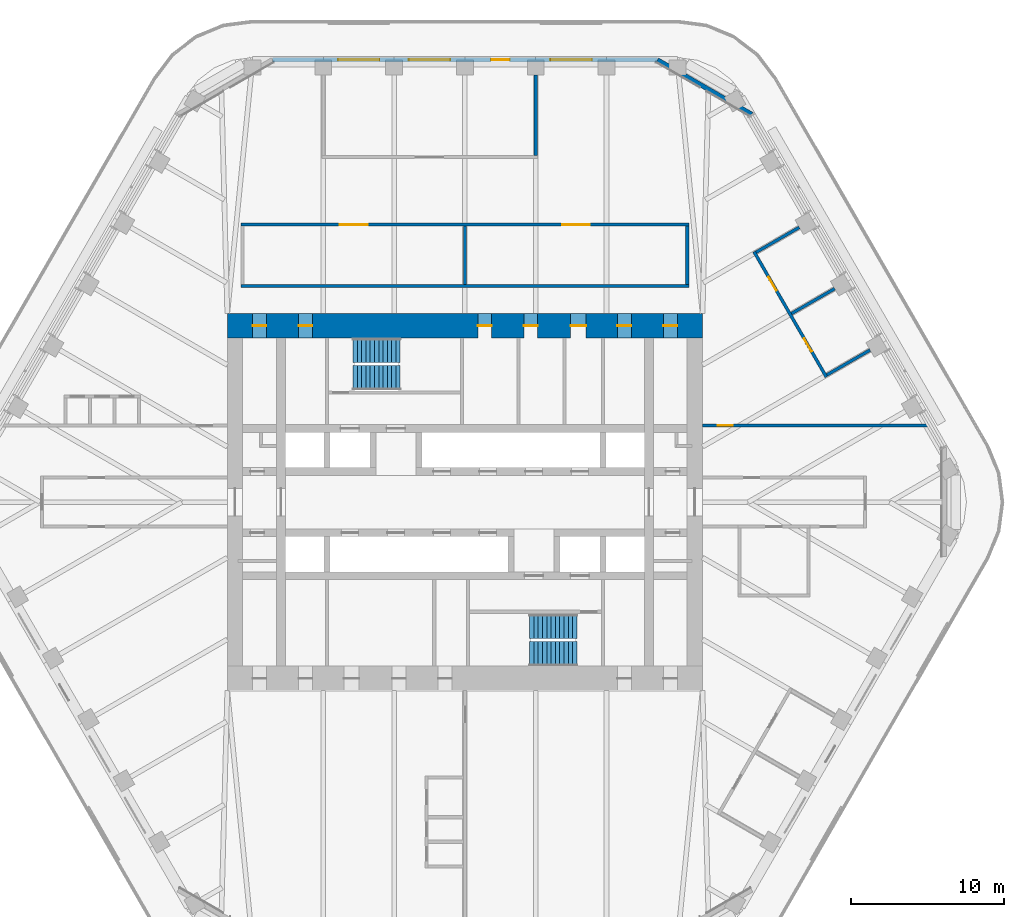
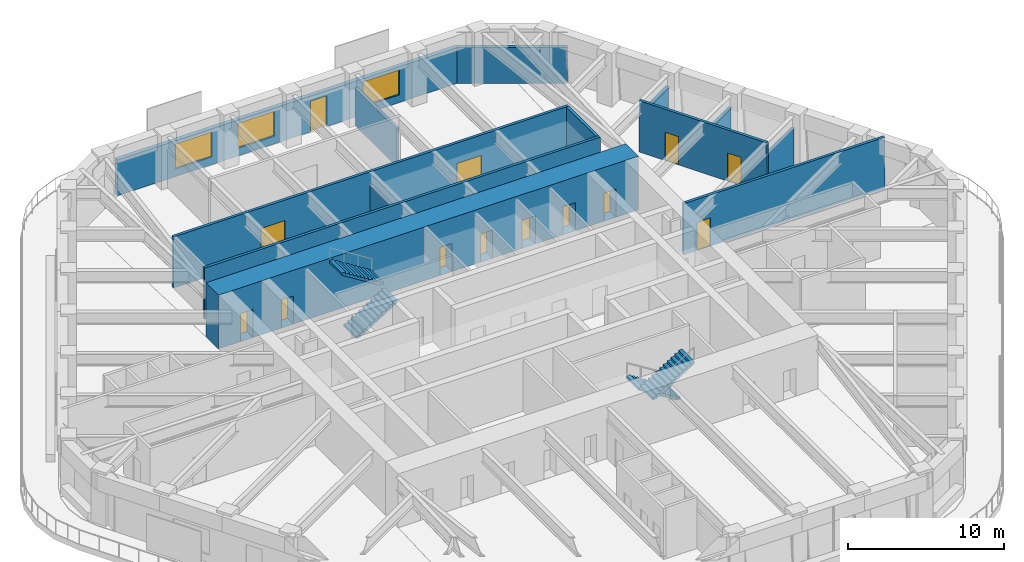
# One storey, part 17 of 20: 13 doors, 13 walls, 4 stair flights, 3 windows, 16 openings, 2 elements without a shape of their own.
"""IFC4 building model written with IfcOpenShell, lengths in metres."""

import ifcopenshell
import ifcopenshell.guid

model = None  # the IFC model being written
_history = None  # IfcOwnerHistory: only IFC2X3 demands one
_inside = {}  # id of a spatial element -> (the spatial element, [elements in it])
_under = {}  # id of a project, library or spatial element -> (it, [spatial elements below it])
_declared = {}  # id of a project -> (the project, [libraries it declares])
_typed = {}  # id of a type object -> (the type object, [elements of that type])
_made_of = {}  # id of a material, layer set ... -> (it, [elements and type objects made of it])


def new_model(schema):
    """Start an empty IFC model of exactly this schema.

    Asked for "IFC4X3", IfcOpenShell would pick the latest addendum, in which some entities
    have other attributes; the version numbers below select the first issue.
    IFC2X3 requires an IfcOwnerHistory on every rooted entity: one is made here for all.
    """
    global model, _history
    if schema == "IFC4X3":
        model = ifcopenshell.file(schema_version=(4, 3, 0, 0))
    else:
        model = ifcopenshell.file(schema=schema)
    _inside.clear()
    _under.clear()
    _declared.clear()
    _typed.clear()
    _made_of.clear()
    _history = None
    if model.schema == "IFC2X3":
        org = make("IfcOrganization", Name="unknown")
        user = make(
            "IfcPersonAndOrganization",
            ThePerson=make("IfcPerson", FamilyName="unknown"),
            TheOrganization=org,
        )
        app = make(
            "IfcApplication",
            ApplicationDeveloper=org,
            Version="unknown",
            ApplicationFullName="unknown",
            ApplicationIdentifier="unknown",
        )
        _history = make(
            "IfcOwnerHistory",
            OwningUser=user,
            OwningApplication=app,
            ChangeAction="ADDED",
            CreationDate=0,
        )
    return model


def make(cls, **values):
    """One entity of the class cls with the attributes given. An attribute that is None is left unset."""
    return model.create_entity(
        cls, **{name: value for name, value in values.items() if value is not None}
    )


def rooted(cls, **values):
    """An entity with a GlobalId (a new one), such as an element, a storey or a relation."""
    return make(cls, GlobalId=ifcopenshell.guid.new(), OwnerHistory=_history, **values)


def si_unit(unit_type, name, prefix=None):
    """IfcSIUnit, for example si_unit("LENGTHUNIT", "METRE", prefix="MILLI")."""
    return make("IfcSIUnit", UnitType=unit_type, Prefix=prefix, Name=name)


def assignment(units):
    """IfcUnitAssignment: the units of a project."""
    return None if units is None else make("IfcUnitAssignment", Units=units)


def point(xyz):
    """IfcCartesianPoint."""
    return None if xyz is None else make("IfcCartesianPoint", Coordinates=xyz)


def direction(xyz):
    """IfcDirection."""
    return None if xyz is None else make("IfcDirection", DirectionRatios=xyz)


def frame(location, z_axis=None, x_axis=None):
    """IfcAxis2Placement3D, a coordinate frame: its origin and axes. An axis left out is left unset."""
    return make(
        "IfcAxis2Placement3D",
        Location=point(location),
        Axis=direction(z_axis),
        RefDirection=direction(x_axis),
    )


def frame_2d(location, x_axis=None):
    """IfcAxis2Placement2D, a coordinate frame in the plane: its origin and x axis."""
    return make(
        "IfcAxis2Placement2D", Location=point(location), RefDirection=direction(x_axis)
    )


def origin():
    """The frame at (0, 0, 0) with its axes left unset."""
    return frame((0.0, 0.0, 0.0))


def place(relative_to, where):
    """IfcLocalPlacement: puts the frame where relative to a parent placement (None: the world)."""
    return make(
        "IfcLocalPlacement", PlacementRelTo=relative_to, RelativePlacement=where
    )


def context(
    kind, dimensions, precision=None, world=None, true_north=None, identifier=None
):
    """IfcGeometricRepresentationContext, for example the 3D "Model" context."""
    return make(
        "IfcGeometricRepresentationContext",
        ContextIdentifier=identifier,
        ContextType=kind,
        CoordinateSpaceDimension=dimensions,
        Precision=precision,
        WorldCoordinateSystem=world,
        TrueNorth=true_north,
    )


def subcontext(parent, identifier, kind, view, scale=None):
    """IfcGeometricRepresentationSubContext, for example "Body" below "Model"."""
    return make(
        "IfcGeometricRepresentationSubContext",
        ContextIdentifier=identifier,
        ContextType=kind,
        ParentContext=parent,
        TargetScale=scale,
        TargetView=view,
    )


def project(units=None, contexts=None):
    """IfcProject with its units and contexts."""
    return rooted(
        "IfcProject",
        Name="project",
        RepresentationContexts=contexts,
        UnitsInContext=assignment(units),
    )


def spatial(cls, under=None, at=None, **own):
    """A site, building, storey or space (cls), placed at a placement, below another one or the project."""
    s = rooted(cls, ObjectPlacement=at, **own)
    if under is not None:
        _under.setdefault(under.id(), (under, []))[1].append(s)
    return s


def polyline(points):
    """IfcPolyline through the points."""
    return make("IfcPolyline", Points=[point(p) for p in points])


def profile(cls, at=None, kind="AREA", **sizes):
    """A parametric profile (cls). Its sizes go by their IFC names, for example OverallWidth=200.0."""
    return make(cls, ProfileType=kind, Position=at, **sizes)


def rectangle(**sizes):
    """IfcRectangleProfileDef."""
    return profile("IfcRectangleProfileDef", **sizes)


def outline(outer, holes=None, kind="AREA"):
    """IfcArbitraryClosedProfileDef: a profile drawn as a closed curve; with holes, ...WithVoids."""
    if holes is None:
        return make("IfcArbitraryClosedProfileDef", ProfileType=kind, OuterCurve=outer)
    return make(
        "IfcArbitraryProfileDefWithVoids",
        ProfileType=kind,
        OuterCurve=outer,
        InnerCurves=holes,
    )


def extrude(swept, where, along, depth):
    """IfcExtrudedAreaSolid: the profile swept, set in the frame where, extruded along a direction by depth."""
    return make(
        "IfcExtrudedAreaSolid",
        SweptArea=swept,
        Position=where,
        ExtrudedDirection=direction(along),
        Depth=depth,
    )


def shape(context_of_items, identifier, shape_type, items):
    """IfcShapeRepresentation: the items that make up one representation, for example the "Body"."""
    return make(
        "IfcShapeRepresentation",
        ContextOfItems=context_of_items,
        RepresentationIdentifier=identifier,
        RepresentationType=shape_type,
        Items=items,
    )


def material(Name=None, Category=None):
    """IfcMaterial."""
    return make("IfcMaterial", Name=Name, Category=Category)


def layer(
    of_material, thickness, ventilated=None, Name=None, Category=None, Priority=None
):
    """IfcMaterialLayer: one layer of a wall or slab, of a material (None: an air gap)."""
    return make(
        "IfcMaterialLayer",
        Material=of_material,
        LayerThickness=thickness,
        IsVentilated=ventilated,
        Name=Name,
        Category=Category,
        Priority=Priority,
    )


def layer_set(layers, Name=None):
    """IfcMaterialLayerSet."""
    return make("IfcMaterialLayerSet", MaterialLayers=layers, LayerSetName=Name)


def made_of(thing, what):
    """Note that an element or type object is made of a material, layer set ...; save() writes the relation."""
    if what is not None:
        _made_of.setdefault(what.id(), (what, []))[1].append(thing)
    return thing


def type_object(cls, material=None, **own):
    """A type object (cls), such as IfcWallType, which elements share."""
    return made_of(rooted(cls, **own), material)


def element(
    cls,
    number,
    at=None,
    inside=None,
    cuts=None,
    type_object=None,
    material=None,
    context=None,
    identifier="Body",
    shape_type=None,
    held_by="IfcProductDefinitionShape",
    body=None,
    shapes=None,
    **own,
):
    """One element of the class cls, such as IfcWall. Its Tag is "e" and its number.

    at: its placement. inside: the storey or other place that contains it. cuts: it is an
    opening in that element (IfcRelVoidsElement). A single representation is given by context,
    identifier, shape_type and body (its items); several are given by shapes. held_by: the class
    of the entity that holds the representations. save() writes the other relations.
    """
    e = rooted(cls, Tag="e%d" % number, ObjectPlacement=at, **own)
    if body is not None:
        shapes = [shape(context, identifier, shape_type, body)]
    if shapes is not None:
        e.Representation = make(held_by, Representations=shapes)
    if inside is not None:
        _inside.setdefault(inside.id(), (inside, []))[1].append(e)
    if cuts is not None:
        rooted(
            "IfcRelVoidsElement", RelatingBuildingElement=cuts, RelatedOpeningElement=e
        )
    if type_object is not None:
        _typed.setdefault(type_object.id(), (type_object, []))[1].append(e)
    return made_of(e, material)


def fill(opening, filler):
    """IfcRelFillsElement: the door or window that sits in an opening."""
    return rooted(
        "IfcRelFillsElement",
        RelatingOpeningElement=opening,
        RelatedBuildingElement=filler,
    )


def aggregate(whole, parts):
    """IfcRelAggregates: a whole, such as a stair, and the parts it consists of."""
    return rooted("IfcRelAggregates", RelatingObject=whole, RelatedObjects=parts)


def save(model, path):
    """Write the relations noted so far, then the file.

    IfcRelAggregates (storeys below a building ...), IfcRelContainedInSpatialStructure (elements
    in a storey), IfcRelDefinesByType, IfcRelAssociatesMaterial and IfcRelDeclares: one each for
    every whole, place, type object, material and project.
    """
    for whole, parts in _under.values():
        aggregate(whole, parts)
    for where, things in _inside.values():
        rooted(
            "IfcRelContainedInSpatialStructure",
            RelatedElements=things,
            RelatingStructure=where,
        )
    for kind, things in _typed.values():
        rooted("IfcRelDefinesByType", RelatedObjects=things, RelatingType=kind)
    for what, things in _made_of.values():
        rooted("IfcRelAssociatesMaterial", RelatedObjects=things, RelatingMaterial=what)
    for by, libraries in _declared.values():
        rooted("IfcRelDeclares", RelatingContext=by, RelatedDefinitions=libraries)
    model.write(path)


model = new_model("IFC4")

# Units and contexts
model_context = context("Model", 3, precision=1e-05, world=origin(), true_north=direction((0.0, 1.0)))
body_context = subcontext(model_context, "Body", "Model", "MODEL_VIEW")
ifc_project = project(units=[si_unit("LENGTHUNIT", "METRE"), si_unit("AREAUNIT", "SQUARE_METRE"), si_unit("VOLUMEUNIT", "CUBIC_METRE"), si_unit("PLANEANGLEUNIT", "RADIAN"), si_unit("MASSUNIT", "GRAM", prefix="KILO")], contexts=[model_context])

# Site, building, storey
site_placement = place(None, origin())
site = spatial("IfcSite", under=ifc_project, at=site_placement, CompositionType="ELEMENT")
building_placement = place(site_placement, origin())
building = spatial("IfcBuilding", under=site, at=building_placement, Name="Tarfa Lantern Tower", CompositionType="ELEMENT")
storey_placement = place(building_placement, frame((0.0, 0.0, 278.5)))
storey = spatial("IfcBuildingStorey", under=building, at=storey_placement, Name="L63", CompositionType="ELEMENT", Elevation=278.5)

# Wall
ifc_material_1 = material(Name="Limestone cladding on blockwork", Category="masonry")
ifc_layer_1 = layer(ifc_material_1, 0.300048828125)
ifc_layer_set_1 = layer_set([ifc_layer_1], Name="EW1 STONE-CLAD WALL 300")
wall_type_1 = type_object("IfcWallType", Name="EW1 STONE-CLAD WALL 300", PredefinedType="SOLIDWALL", material=ifc_layer_set_1)
wall_1_placement = place(storey_placement, frame((18.70654296875, 25.299072265625, 0.0), z_axis=(0.0, 0.0, 1.0), x_axis=(-0.866010973379, 0.500024993363, 0.0)))
element("IfcWall", 1, at=wall_1_placement, inside=storey, type_object=wall_type_1, Name="Garden wall NE-N", PredefinedType="SOLIDWALL", context=body_context, shape_type="SweptSolid", body=[
    extrude(rectangle(XDim=7.101806640625, YDim=0.300048828125, at=frame_2d((3.55078125, 0.0))), origin(), (0.0, 0.0, 1.0), 2.800048828125),
])

# Wall, openings, door, windows
wall_2_placement = place(storey_placement, frame((12.556396484375, 28.85009765625, 0.0), z_axis=(0.0, 0.0, 1.0), x_axis=(-1.0, 0.0, 0.0)))
wall_2 = element("IfcWall", 2, at=wall_2_placement, inside=storey, type_object=wall_type_1, Name="Stone wall N", PredefinedType="SOLIDWALL", context=body_context, shape_type="SweptSolid", body=[
    extrude(rectangle(XDim=25.11279296875, YDim=0.300048828125, at=frame_2d((12.556396484375, 0.0))), origin(), (0.0, 0.0, 1.0), 2.800048828125),
])
opening_1_placement = place(wall_2_placement, frame((4.2783203125, 0.0, 0.60009765625)))
opening_1 = element("IfcOpeningElement", 3, at=opening_1_placement, cuts=wall_2, Name="Opening W14", PredefinedType="OPENING", context=body_context, shape_type="SweptSolid", body=[
    extrude(rectangle(XDim=2.699951171875, YDim=1.949951171875, at=frame_2d((1.35009765625, 0.97509765625))), frame((0.0, 0.159912109375, 0.0), z_axis=(0.0, -1.0, 0.0), x_axis=(1.0, 0.0, 0.0)), (0.0, 0.0, 1.0), 0.320068359375),
])
opening_2_placement = place(wall_2_placement, frame((9.64697265625, 0.0, 0.0)))
opening_2 = element("IfcOpeningElement", 4, at=opening_2_placement, cuts=wall_2, Name="Opening D50", PredefinedType="OPENING", context=body_context, shape_type="SweptSolid", body=[
    extrude(rectangle(XDim=1.199951171875, YDim=2.39990234375, at=frame_2d((0.60009765625, 1.199951171875))), frame((0.0, 0.159912109375, 0.0), z_axis=(0.0, -1.0, 0.0), x_axis=(1.0, 0.0, 0.0)), (0.0, 0.0, 1.0), 0.320068359375),
])
opening_3_placement = place(wall_2_placement, frame((13.515869140625, 0.0, 0.60009765625)))
opening_3 = element("IfcOpeningElement", 5, at=opening_3_placement, cuts=wall_2, Name="Opening W14", PredefinedType="OPENING", context=body_context, shape_type="SweptSolid", body=[
    extrude(rectangle(XDim=2.699951171875, YDim=1.949951171875, at=frame_2d((1.35009765625, 0.97509765625))), frame((0.0, 0.159912109375, 0.0), z_axis=(0.0, -1.0, 0.0), x_axis=(1.0, 0.0, 0.0)), (0.0, 0.0, 1.0), 0.320068359375),
])
opening_4_placement = place(wall_2_placement, frame((18.134521484375, 0.0, 0.60009765625)))
opening_4 = element("IfcOpeningElement", 6, at=opening_4_placement, cuts=wall_2, Name="Opening W14", PredefinedType="OPENING", context=body_context, shape_type="SweptSolid", body=[
    extrude(rectangle(XDim=2.699951171875, YDim=1.949951171875, at=frame_2d((1.35009765625, 0.97509765625))), frame((0.0, 0.159912109375, 0.0), z_axis=(0.0, -1.0, 0.0), x_axis=(1.0, 0.0, 0.0)), (0.0, 0.0, 1.0), 0.320068359375),
])
ifc_material_2 = material(Name="Aluminium framed glazed door", Category="aluminium")
door_type_1 = type_object("IfcDoorType", Name="BE3 BALCONY DOOR 1200x2400", OperationType="SINGLE_SWING_RIGHT", PredefinedType="DOOR", material=ifc_material_2)
door_1_placement = place(opening_2_placement, origin())
door_1 = element("IfcDoor", 7, at=door_1_placement, inside=storey, type_object=door_type_1, Name="Balcony door N", OperationType="SINGLE_SWING_RIGHT", OverallHeight=2.39990234375, OverallWidth=1.199951171875, PredefinedType="DOOR", context=body_context, shape_type="SweptSolid", body=[
    extrude(rectangle(XDim=1.199951171875, YDim=2.39990234375, at=frame_2d((0.60009765625, 1.199951171875))), frame((0.0, 0.02490234375, 0.0), z_axis=(0.0, -1.0, 0.0), x_axis=(1.0, 0.0, 0.0)), (0.0, 0.0, 1.0), 0.050048828125),
])
fill(opening_2, door_1)
ifc_material_3 = material(Name="Aluminium frame, double glazed", Category="aluminium")
window_type = type_object("IfcWindowType", Name="W14 FULL-HEIGHT GLAZING 2700x1950", PartitioningType="SINGLE_PANEL", PredefinedType="WINDOW", material=ifc_material_3)
window_1_placement = place(opening_1_placement, origin())
window_1 = element("IfcWindow", 8, at=window_1_placement, inside=storey, type_object=window_type, Name="Window N 2", OverallHeight=1.949951171875, OverallWidth=2.699951171875, PartitioningType="SINGLE_PANEL", PredefinedType="WINDOW", context=body_context, shape_type="SweptSolid", body=[
    extrude(rectangle(XDim=2.699951171875, YDim=1.949951171875, at=frame_2d((1.35009765625, 0.97509765625))), frame((0.0, 0.030029296875, 0.0), z_axis=(0.0, -1.0, 0.0), x_axis=(1.0, 0.0, 0.0)), (0.0, 0.0, 1.0), 0.06005859375),
])
fill(opening_1, window_1)
window_2_placement = place(opening_3_placement, origin())
window_2 = element("IfcWindow", 9, at=window_2_placement, inside=storey, type_object=window_type, Name="Window N 4", OverallHeight=1.949951171875, OverallWidth=2.699951171875, PartitioningType="SINGLE_PANEL", PredefinedType="WINDOW", context=body_context, shape_type="SweptSolid", body=[
    extrude(rectangle(XDim=2.699951171875, YDim=1.949951171875, at=frame_2d((1.35009765625, 0.97509765625))), frame((0.0, 0.030029296875, 0.0), z_axis=(0.0, -1.0, 0.0), x_axis=(1.0, 0.0, 0.0)), (0.0, 0.0, 1.0), 0.06005859375),
])
fill(opening_3, window_2)
window_3_placement = place(opening_4_placement, origin())
window_3 = element("IfcWindow", 10, at=window_3_placement, inside=storey, type_object=window_type, Name="Window N 5", OverallHeight=1.949951171875, OverallWidth=2.699951171875, PartitioningType="SINGLE_PANEL", PredefinedType="WINDOW", context=body_context, shape_type="SweptSolid", body=[
    extrude(rectangle(XDim=2.699951171875, YDim=1.949951171875, at=frame_2d((1.35009765625, 0.97509765625))), frame((0.0, 0.030029296875, 0.0), z_axis=(0.0, -1.0, 0.0), x_axis=(1.0, 0.0, 0.0)), (0.0, 0.0, 1.0), 0.06005859375),
])
fill(opening_4, window_3)

# Wall
ifc_material_4 = material(Name="Gypsum board on steel studs", Category="steel")
ifc_layer_2 = layer(ifc_material_4, 0.2099609375)
ifc_layer_set_2 = layer_set([ifc_layer_2], Name="IW2 ACOUSTIC PARTITION 200")
wall_type_2 = type_object("IfcWallType", Name="IW2 ACOUSTIC PARTITION 200", PredefinedType="PARTITIONING", material=ifc_layer_set_2)
wall_3_placement = place(storey_placement, frame((-14.60009765625, 14.10009765625, 0.0), z_axis=(0.0, 0.0, 1.0), x_axis=(1.0, 0.0, 0.0)))
element("IfcWall", 11, at=wall_3_placement, inside=storey, type_object=wall_type_2, Name="Partition", PredefinedType="PARTITIONING", context=body_context, shape_type="SweptSolid", body=[
    extrude(rectangle(XDim=29.2001953125, YDim=0.199951171875, at=frame_2d((14.60009765625, 0.0))), origin(), (0.0, 0.0, 1.0), 4.0),
])

# Wall, openings, doors
wall_4_placement = place(storey_placement, frame((-14.60009765625, 18.10009765625, 0.0), z_axis=(0.0, 0.0, 1.0), x_axis=(1.0, 0.0, 0.0)))
wall_4 = element("IfcWall", 12, at=wall_4_placement, inside=storey, type_object=wall_type_2, Name="Partition", PredefinedType="PARTITIONING", context=body_context, shape_type="SweptSolid", body=[
    extrude(rectangle(XDim=29.2001953125, YDim=0.199951171875, at=frame_2d((14.60009765625, 0.0))), origin(), (0.0, 0.0, 1.0), 4.0),
])
opening_5_placement = place(wall_4_placement, frame((6.449951171875, 0.0, 0.0)))
opening_5 = element("IfcOpeningElement", 13, at=opening_5_placement, cuts=wall_4, Name="Opening D33", PredefinedType="OPENING", context=body_context, shape_type="SweptSolid", body=[
    extrude(rectangle(XDim=1.800048828125, YDim=2.39990234375, at=frame_2d((0.89990234375, 1.199951171875))), frame((0.0, 0.10986328125, 0.0), z_axis=(0.0, -1.0, 0.0), x_axis=(1.0, 0.0, 0.0)), (0.0, 0.0, 1.0), 0.219970703125),
])
opening_6_placement = place(wall_4_placement, frame((20.949951171875, 0.0, 0.0)))
opening_6 = element("IfcOpeningElement", 14, at=opening_6_placement, cuts=wall_4, Name="Opening D34", PredefinedType="OPENING", context=body_context, shape_type="SweptSolid", body=[
    extrude(rectangle(XDim=1.800048828125, YDim=2.39990234375, at=frame_2d((0.89990234375, 1.199951171875))), frame((0.0, 0.10986328125, 0.0), z_axis=(0.0, -1.0, 0.0), x_axis=(1.0, 0.0, 0.0)), (0.0, 0.0, 1.0), 0.219970703125),
])
ifc_material_5 = material(Name="Timber door", Category="wood")
door_type_2 = type_object("IfcDoorType", Name="DR2 ROOM DOOR 1800x2400", OperationType="DOUBLE_DOOR_SINGLE_SWING", PredefinedType="DOOR", material=ifc_material_5)
door_2_placement = place(opening_5_placement, frame((1.800048828125, 0.0, 0.0), z_axis=(0.0, 0.0, 1.0), x_axis=(-1.0, 0.0, 0.0)))
door_2 = element("IfcDoor", 15, at=door_2_placement, inside=storey, type_object=door_type_2, Name="Data room door", OperationType="DOUBLE_DOOR_SINGLE_SWING", OverallHeight=2.39990234375, OverallWidth=1.800048828125, PredefinedType="DOOR", context=body_context, shape_type="SweptSolid", body=[
    extrude(rectangle(XDim=1.800048828125, YDim=2.39990234375, at=frame_2d((0.89990234375, 1.199951171875))), frame((0.0, 0.02490234375, 0.0), z_axis=(0.0, -1.0, 0.0), x_axis=(1.0, 0.0, 0.0)), (0.0, 0.0, 1.0), 0.050048828125),
])
fill(opening_5, door_2)
door_3_placement = place(opening_6_placement, frame((1.800048828125, 0.0, 0.0), z_axis=(0.0, 0.0, 1.0), x_axis=(-1.0, 0.0, 0.0)))
door_3 = element("IfcDoor", 16, at=door_3_placement, inside=storey, type_object=door_type_2, Name="Meeting room door", OperationType="DOUBLE_DOOR_SINGLE_SWING", OverallHeight=2.39990234375, OverallWidth=1.800048828125, PredefinedType="DOOR", context=body_context, shape_type="SweptSolid", body=[
    extrude(rectangle(XDim=1.800048828125, YDim=2.39990234375, at=frame_2d((0.89990234375, 1.199951171875))), frame((0.0, 0.02490234375, 0.0), z_axis=(0.0, -1.0, 0.0), x_axis=(1.0, 0.0, 0.0)), (0.0, 0.0, 1.0), 0.050048828125),
])
fill(opening_6, door_3)

# Walls
wall_5_placement = place(storey_placement, frame((0.0, 14.199951171875, 0.0), z_axis=(0.0, 0.0, 1.0), x_axis=(0.0, 1.0, 0.0)))
element("IfcWall", 17, at=wall_5_placement, inside=storey, type_object=wall_type_2, Name="Partition", PredefinedType="PARTITIONING", context=body_context, shape_type="SweptSolid", body=[
    extrude(rectangle(XDim=3.800048828125, YDim=0.199951171875, at=frame_2d((1.89990234375, 0.0))), origin(), (0.0, 0.0, 1.0), 2.991943359375),
])
wall_6_placement = place(storey_placement, frame((14.5, 14.199951171875, 0.0), z_axis=(0.0, 0.0, 1.0), x_axis=(0.0, 1.0, 0.0)))
element("IfcWall", 18, at=wall_6_placement, inside=storey, type_object=wall_type_2, Name="Partition", PredefinedType="PARTITIONING", context=body_context, shape_type="SweptSolid", body=[
    extrude(rectangle(XDim=3.800048828125, YDim=0.199951171875, at=frame_2d((1.89990234375, 0.0))), origin(), (0.0, 0.0, 1.0), 4.0),
])
wall_7_placement = place(storey_placement, frame((4.618896484375, 22.60009765625, 0.0), z_axis=(0.0, 0.0, 1.0), x_axis=(0.0, 1.0, 0.0)))
element("IfcWall", 19, at=wall_7_placement, inside=storey, type_object=wall_type_2, Name="Partition", PredefinedType="PARTITIONING", context=body_context, shape_type="SweptSolid", body=[
    extrude(rectangle(XDim=5.25, YDim=0.199951171875, at=frame_2d((2.625, 0.0))), origin(), (0.0, 0.0, 1.0), 2.991943359375),
])

# Wall, openings, doors
wall_8_placement = place(storey_placement, frame((23.576904296875, 8.163330078125, 0.0), z_axis=(0.0, 0.0, 1.0), x_axis=(-0.499989672313, 0.866031366395, 0.0)))
wall_8 = element("IfcWall", 20, at=wall_8_placement, inside=storey, type_object=wall_type_2, Name="Partition", PredefinedType="PARTITIONING", context=body_context, shape_type="SweptSolid", body=[
    extrude(rectangle(XDim=9.437744140625, YDim=0.199951171875, at=frame_2d((4.71875, 0.0))), origin(), (0.0, 0.0, 1.0), 4.0),
])
opening_7_placement = place(wall_8_placement, frame((1.909423828125, 0.0, 0.0)))
opening_7 = element("IfcOpeningElement", 21, at=opening_7_placement, cuts=wall_8, Name="Opening D29", PredefinedType="OPENING", context=body_context, shape_type="SweptSolid", body=[
    extrude(rectangle(XDim=1.0, YDim=2.199951171875, at=frame_2d((0.5, 1.10009765625))), frame((0.0, 0.10986328125, 0.0), z_axis=(0.0, -1.0, 0.0), x_axis=(1.0, 0.0, 0.0)), (0.0, 0.0, 1.0), 0.219970703125),
])
opening_8_placement = place(wall_8_placement, frame((6.5283203125, 0.0, 0.0)))
opening_8 = element("IfcOpeningElement", 22, at=opening_8_placement, cuts=wall_8, Name="Opening D30", PredefinedType="OPENING", context=body_context, shape_type="SweptSolid", body=[
    extrude(rectangle(XDim=1.0, YDim=2.199951171875, at=frame_2d((0.5, 1.10009765625))), frame((0.0, 0.10986328125, 0.0), z_axis=(0.0, -1.0, 0.0), x_axis=(1.0, 0.0, 0.0)), (0.0, 0.0, 1.0), 0.219970703125),
])
door_type_3 = type_object("IfcDoorType", Name="DR1 ROOM DOOR 1000x2200", OperationType="SINGLE_SWING_LEFT", PredefinedType="DOOR", material=ifc_material_5)
door_4_placement = place(opening_7_placement, frame((1.0, 0.0, 0.0), z_axis=(0.0, 0.0, 1.0), x_axis=(-1.0, 0.0, 0.0)))
door_4 = element("IfcDoor", 23, at=door_4_placement, inside=storey, type_object=door_type_3, Name="Interview room door", OperationType="SINGLE_SWING_LEFT", OverallHeight=2.199951171875, OverallWidth=1.0, PredefinedType="DOOR", context=body_context, shape_type="SweptSolid", body=[
    extrude(rectangle(XDim=1.0, YDim=2.199951171875, at=frame_2d((0.5, 1.10009765625))), frame((0.0, 0.02490234375, 0.0), z_axis=(0.0, -1.0, 0.0), x_axis=(1.0, 0.0, 0.0)), (0.0, 0.0, 1.0), 0.050048828125),
])
fill(opening_7, door_4)
door_5_placement = place(opening_8_placement, frame((1.0, 0.0, 0.0), z_axis=(0.0, 0.0, 1.0), x_axis=(-1.0, 0.0, 0.0)))
door_5 = element("IfcDoor", 24, at=door_5_placement, inside=storey, type_object=door_type_3, Name="Interview room door", OperationType="SINGLE_SWING_RIGHT", OverallHeight=2.199951171875, OverallWidth=1.0, PredefinedType="DOOR", context=body_context, shape_type="SweptSolid", body=[
    extrude(rectangle(XDim=1.0, YDim=2.199951171875, at=frame_2d((0.5, 1.10009765625))), frame((0.0, 0.02490234375, 0.0), z_axis=(0.0, -1.0, 0.0), x_axis=(1.0, 0.0, 0.0)), (0.0, 0.0, 1.0), 0.050048828125),
])
fill(opening_8, door_5)

# Walls
for number, where, z_axis, x_axis, name in (
    (25, (23.613525390625, 8.300048828125, 0.0), (0.0, 0.0, 1.0), (0.866034226713, 0.499984717929, 0.0), "Partition"),
    (26, (21.30419921875, 12.300048828125, 0.0), (0.0, 0.0, 1.0), (0.866034226713, 0.499984717929, 0.0), "Partition"),
    (27, (18.994873046875, 16.300048828125, 0.0), (0.0, 0.0, 1.0), (0.866015446554, 0.500017246033, 0.0), "Partition"),
):
    element("IfcWall", number, at=place(storey_placement, frame(where, z_axis=z_axis, x_axis=x_axis)), inside=storey, type_object=wall_type_2, Name=name, PredefinedType="PARTITIONING", context=body_context, shape_type="SweptSolid", body=[
        extrude(rectangle(XDim=3.25, YDim=0.199951171875, at=frame_2d((1.625, 0.0))), origin(), (0.0, 0.0, 1.0), 3.08154296875),
    ])

# Wall, opening, door
wall_9_placement = place(storey_placement, frame((15.5, 5.0, 0.0), z_axis=(0.0, 0.0, 1.0), x_axis=(1.0, 0.0, 0.0)))
wall_9 = element("IfcWall", 28, at=wall_9_placement, inside=storey, type_object=wall_type_2, Name="Partition", PredefinedType="PARTITIONING", context=body_context, shape_type="SweptSolid", body=[
    extrude(rectangle(XDim=14.845458984375, YDim=0.199951171875, at=frame_2d((7.4228515625, 0.0))), origin(), (0.0, 0.0, 1.0), 4.0),
])
opening_9_placement = place(wall_9_placement, frame((0.984619140625, 0.0, 0.0)))
opening_9 = element("IfcOpeningElement", 29, at=opening_9_placement, cuts=wall_9, Name="Opening D47", PredefinedType="OPENING", context=body_context, shape_type="SweptSolid", body=[
    extrude(rectangle(XDim=1.0, YDim=2.199951171875, at=frame_2d((0.5, 1.10009765625))), frame((0.0, 0.10986328125, 0.0), z_axis=(0.0, -1.0, 0.0), x_axis=(1.0, 0.0, 0.0)), (0.0, 0.0, 1.0), 0.219970703125),
])
door_6_placement = place(opening_9_placement, frame((1.0, 0.0, 0.0), z_axis=(0.0, 0.0, 1.0), x_axis=(-1.0, 0.0, 0.0)))
door_6 = element("IfcDoor", 30, at=door_6_placement, inside=storey, type_object=door_type_3, Name="Zone door", OperationType="SINGLE_SWING_LEFT", OverallHeight=2.199951171875, OverallWidth=1.0, PredefinedType="DOOR", context=body_context, shape_type="SweptSolid", body=[
    extrude(rectangle(XDim=1.0, YDim=2.199951171875, at=frame_2d((0.5, 1.10009765625))), frame((0.0, 0.02490234375, 0.0), z_axis=(0.0, -1.0, 0.0), x_axis=(1.0, 0.0, 0.0)), (0.0, 0.0, 1.0), 0.050048828125),
])
fill(opening_9, door_6)

# Wall, openings, doors
ifc_material_6 = material(Name="Concrete C80/95", Category="concrete")
ifc_layer_3 = layer(ifc_material_6, 1.60009765625)
ifc_layer_set_3 = layer_set([ifc_layer_3], Name="SW7 CORE WALL 1600")
wall_type_3 = type_object("IfcWallType", Name="SW7 CORE WALL 1600", PredefinedType="SHEAR", material=ifc_layer_set_3)
wall_10_placement = place(storey_placement, frame((-15.5, 11.5, 0.0), z_axis=(0.0, 0.0, 1.0), x_axis=(1.0, 0.0, 0.0)))
wall_10 = element("IfcWall", 31, at=wall_10_placement, inside=storey, type_object=wall_type_3, Name="Core wall N", PredefinedType="SHEAR", context=body_context, shape_type="SweptSolid", body=[
    extrude(rectangle(XDim=31.0, YDim=1.60009765625, at=frame_2d((15.5, 0.0))), origin(), (0.0, 0.0, 1.0), 4.199951171875),
])
opening_10_placement = place(wall_10_placement, frame((16.35009765625, 0.0, 0.0)))
opening_10 = element("IfcOpeningElement", 32, at=opening_10_placement, cuts=wall_10, Name="Opening D17", PredefinedType="OPENING", context=body_context, shape_type="SweptSolid", body=[
    extrude(rectangle(XDim=0.89990234375, YDim=2.199951171875, at=frame_2d((0.449951171875, 1.10009765625))), frame((0.0, 0.81005859375, 0.0), z_axis=(0.0, -1.0, 0.0), x_axis=(1.0, 0.0, 0.0)), (0.0, 0.0, 1.0), 1.6201171875),
])
opening_11_placement = place(wall_10_placement, frame((19.35009765625, 0.0, 0.0)))
opening_11 = element("IfcOpeningElement", 33, at=opening_11_placement, cuts=wall_10, Name="Opening D19", PredefinedType="OPENING", context=body_context, shape_type="SweptSolid", body=[
    extrude(rectangle(XDim=0.89990234375, YDim=2.199951171875, at=frame_2d((0.449951171875, 1.10009765625))), frame((0.0, 0.81005859375, 0.0), z_axis=(0.0, -1.0, 0.0), x_axis=(1.0, 0.0, 0.0)), (0.0, 0.0, 1.0), 1.6201171875),
])
opening_12_placement = place(wall_10_placement, frame((22.39990234375, 0.0, 0.0)))
opening_12 = element("IfcOpeningElement", 34, at=opening_12_placement, cuts=wall_10, Name="Opening D21", PredefinedType="OPENING", context=body_context, shape_type="SweptSolid", body=[
    extrude(rectangle(XDim=1.0, YDim=2.199951171875, at=frame_2d((0.5, 1.10009765625))), frame((0.0, 0.81005859375, 0.0), z_axis=(0.0, -1.0, 0.0), x_axis=(1.0, 0.0, 0.0)), (0.0, 0.0, 1.0), 1.6201171875),
])
opening_13_placement = place(wall_10_placement, frame((1.64990234375, 0.0, 0.0)))
opening_13 = element("IfcOpeningElement", 35, at=opening_13_placement, cuts=wall_10, Name="Opening D07", PredefinedType="OPENING", context=body_context, shape_type="SweptSolid", body=[
    extrude(rectangle(XDim=0.89990234375, YDim=2.199951171875, at=frame_2d((0.449951171875, 1.10009765625))), frame((0.0, 0.81005859375, 0.0), z_axis=(0.0, -1.0, 0.0), x_axis=(1.0, 0.0, 0.0)), (0.0, 0.0, 1.0), 1.6201171875),
])
opening_14_placement = place(wall_10_placement, frame((4.64990234375, 0.0, 0.0)))
opening_14 = element("IfcOpeningElement", 36, at=opening_14_placement, cuts=wall_10, Name="Opening D05", PredefinedType="OPENING", context=body_context, shape_type="SweptSolid", body=[
    extrude(rectangle(XDim=0.89990234375, YDim=2.199951171875, at=frame_2d((0.449951171875, 1.10009765625))), frame((0.0, 0.81005859375, 0.0), z_axis=(0.0, -1.0, 0.0), x_axis=(1.0, 0.0, 0.0)), (0.0, 0.0, 1.0), 1.6201171875),
])
opening_15_placement = place(wall_10_placement, frame((25.449951171875, 0.0, 0.0)))
opening_15 = element("IfcOpeningElement", 37, at=opening_15_placement, cuts=wall_10, Name="Opening D03", PredefinedType="OPENING", context=body_context, shape_type="SweptSolid", body=[
    extrude(rectangle(XDim=0.89990234375, YDim=2.199951171875, at=frame_2d((0.449951171875, 1.10009765625))), frame((0.0, 0.81005859375, 0.0), z_axis=(0.0, -1.0, 0.0), x_axis=(1.0, 0.0, 0.0)), (0.0, 0.0, 1.0), 1.6201171875),
])
opening_16_placement = place(wall_10_placement, frame((28.449951171875, 0.0, 0.0)))
opening_16 = element("IfcOpeningElement", 38, at=opening_16_placement, cuts=wall_10, Name="Opening D01", PredefinedType="OPENING", context=body_context, shape_type="SweptSolid", body=[
    extrude(rectangle(XDim=0.89990234375, YDim=2.199951171875, at=frame_2d((0.449951171875, 1.10009765625))), frame((0.0, 0.81005859375, 0.0), z_axis=(0.0, -1.0, 0.0), x_axis=(1.0, 0.0, 0.0)), (0.0, 0.0, 1.0), 1.6201171875),
])
ifc_material_7 = material(Name="Steel fire door", Category="steel")
door_type_4 = type_object("IfcDoorType", Name="DF3 CORE ROOM DOOR 900x2200", OperationType="SINGLE_SWING_LEFT", PredefinedType="DOOR", material=ifc_material_7)
door_7_placement = place(opening_10_placement, frame((0.89990234375, 0.0, 0.0), z_axis=(0.0, 0.0, 1.0), x_axis=(-1.0, 0.0, 0.0)))
door_7 = element("IfcDoor", 39, at=door_7_placement, inside=storey, type_object=door_type_4, Name="Core door", OperationType="SINGLE_SWING_LEFT", OverallHeight=2.199951171875, OverallWidth=0.89990234375, PredefinedType="DOOR", context=body_context, shape_type="SweptSolid", body=[
    extrude(rectangle(XDim=0.89990234375, YDim=2.199951171875, at=frame_2d((0.449951171875, 1.10009765625))), frame((0.0, 0.02490234375, 0.0), z_axis=(0.0, -1.0, 0.0), x_axis=(1.0, 0.0, 0.0)), (0.0, 0.0, 1.0), 0.050048828125),
])
fill(opening_10, door_7)
door_8_placement = place(opening_11_placement, frame((0.89990234375, 0.0, 0.0), z_axis=(0.0, 0.0, 1.0), x_axis=(-1.0, 0.0, 0.0)))
door_8 = element("IfcDoor", 40, at=door_8_placement, inside=storey, type_object=door_type_4, Name="Core door", OperationType="SINGLE_SWING_LEFT", OverallHeight=2.199951171875, OverallWidth=0.89990234375, PredefinedType="DOOR", context=body_context, shape_type="SweptSolid", body=[
    extrude(rectangle(XDim=0.89990234375, YDim=2.199951171875, at=frame_2d((0.449951171875, 1.10009765625))), frame((0.0, 0.02490234375, 0.0), z_axis=(0.0, -1.0, 0.0), x_axis=(1.0, 0.0, 0.0)), (0.0, 0.0, 1.0), 0.050048828125),
])
fill(opening_11, door_8)
door_type_5 = type_object("IfcDoorType", Name="DF4 CORE ROOM DOOR 1000x2200", OperationType="SINGLE_SWING_LEFT", PredefinedType="DOOR", material=ifc_material_7)
door_9_placement = place(opening_12_placement, frame((1.0, 0.0, 0.0), z_axis=(0.0, 0.0, 1.0), x_axis=(-1.0, 0.0, 0.0)))
door_9 = element("IfcDoor", 41, at=door_9_placement, inside=storey, type_object=door_type_5, Name="Core door", OperationType="SINGLE_SWING_LEFT", OverallHeight=2.199951171875, OverallWidth=1.0, PredefinedType="DOOR", context=body_context, shape_type="SweptSolid", body=[
    extrude(rectangle(XDim=1.0, YDim=2.199951171875, at=frame_2d((0.5, 1.10009765625))), frame((0.0, 0.02490234375, 0.0), z_axis=(0.0, -1.0, 0.0), x_axis=(1.0, 0.0, 0.0)), (0.0, 0.0, 1.0), 0.050048828125),
])
fill(opening_12, door_9)
door_type_6 = type_object("IfcDoorType", Name="DF5 RISER DOOR 900x2200", OperationType="SINGLE_SWING_LEFT", PredefinedType="DOOR", material=ifc_material_7)
door_10_placement = place(opening_13_placement, frame((0.89990234375, 0.0, 0.0), z_axis=(0.0, 0.0, 1.0), x_axis=(-1.0, 0.0, 0.0)))
door_10 = element("IfcDoor", 42, at=door_10_placement, inside=storey, type_object=door_type_6, Name="Riser door", OperationType="SINGLE_SWING_LEFT", OverallHeight=2.199951171875, OverallWidth=0.89990234375, PredefinedType="DOOR", context=body_context, shape_type="SweptSolid", body=[
    extrude(rectangle(XDim=0.89990234375, YDim=2.199951171875, at=frame_2d((0.449951171875, 1.10009765625))), frame((0.0, 0.02490234375, 0.0), z_axis=(0.0, -1.0, 0.0), x_axis=(1.0, 0.0, 0.0)), (0.0, 0.0, 1.0), 0.050048828125),
])
fill(opening_13, door_10)
door_11_placement = place(opening_14_placement, frame((0.89990234375, 0.0, 0.0), z_axis=(0.0, 0.0, 1.0), x_axis=(-1.0, 0.0, 0.0)))
door_11 = element("IfcDoor", 43, at=door_11_placement, inside=storey, type_object=door_type_6, Name="Riser door", OperationType="SINGLE_SWING_LEFT", OverallHeight=2.199951171875, OverallWidth=0.89990234375, PredefinedType="DOOR", context=body_context, shape_type="SweptSolid", body=[
    extrude(rectangle(XDim=0.89990234375, YDim=2.199951171875, at=frame_2d((0.449951171875, 1.10009765625))), frame((0.0, 0.02490234375, 0.0), z_axis=(0.0, -1.0, 0.0), x_axis=(1.0, 0.0, 0.0)), (0.0, 0.0, 1.0), 0.050048828125),
])
fill(opening_14, door_11)
door_12_placement = place(opening_15_placement, frame((0.89990234375, 0.0, 0.0), z_axis=(0.0, 0.0, 1.0), x_axis=(-1.0, 0.0, 0.0)))
door_12 = element("IfcDoor", 44, at=door_12_placement, inside=storey, type_object=door_type_6, Name="Riser door", OperationType="SINGLE_SWING_RIGHT", OverallHeight=2.199951171875, OverallWidth=0.89990234375, PredefinedType="DOOR", context=body_context, shape_type="SweptSolid", body=[
    extrude(rectangle(XDim=0.89990234375, YDim=2.199951171875, at=frame_2d((0.449951171875, 1.10009765625))), frame((0.0, 0.02490234375, 0.0), z_axis=(0.0, -1.0, 0.0), x_axis=(1.0, 0.0, 0.0)), (0.0, 0.0, 1.0), 0.050048828125),
])
fill(opening_15, door_12)
door_13_placement = place(opening_16_placement, frame((0.89990234375, 0.0, 0.0), z_axis=(0.0, 0.0, 1.0), x_axis=(-1.0, 0.0, 0.0)))
door_13 = element("IfcDoor", 45, at=door_13_placement, inside=storey, type_object=door_type_6, Name="Riser door", OperationType="SINGLE_SWING_RIGHT", OverallHeight=2.199951171875, OverallWidth=0.89990234375, PredefinedType="DOOR", context=body_context, shape_type="SweptSolid", body=[
    extrude(rectangle(XDim=0.89990234375, YDim=2.199951171875, at=frame_2d((0.449951171875, 1.10009765625))), frame((0.0, 0.02490234375, 0.0), z_axis=(0.0, -1.0, 0.0), x_axis=(1.0, 0.0, 0.0)), (0.0, 0.0, 1.0), 0.050048828125),
])
fill(opening_16, door_13)

# Stair, stair flights
ifc_material_8 = material(Name="Concrete C40/50", Category="concrete")
stair_type = type_object("IfcStairType", Name="ST-T10 HALF-TURN STAIR 4200 RISE", PredefinedType="HALF_TURN_STAIR", material=ifc_material_8)
stair_1_placement = place(storey_placement, origin())
stair_1 = element("IfcStair", 46, at=stair_1_placement, inside=storey, type_object=stair_type, Name="Stair ST1", PredefinedType="HALF_TURN_STAIR")
stair_flight_type = type_object("IfcStairFlightType", Name="SF1 STAIR FLIGHT", PredefinedType="STRAIGHT", material=ifc_material_8)
stair_flight_1_placement = place(storey_placement, frame((-7.300048828125, 8.10009765625, 0.0), z_axis=(0.0, 0.0, 1.0), x_axis=(1.0, 0.0, 0.0)))
stair_flight_1 = element("IfcStairFlight", 47, at=stair_flight_1_placement, type_object=stair_flight_type, Name="ST1 flight 1", NumberOfRisers=12, NumberOfTreads=11, PredefinedType="STRAIGHT", RiserHeight=0.175, TreadLength=0.28, context=body_context, shape_type="SweptSolid", body=[
    extrude(outline(polyline([(0.0, 0.0), (0.0, 0.175048828125), (0.280029296875, 0.175048828125), (0.280029296875, 0.35009765625), (0.56005859375, 0.35009765625), (0.56005859375, 0.52490234375), (0.840087890625, 0.52490234375), (0.840087890625, 0.699951171875), (1.1201171875, 0.699951171875), (1.1201171875, 0.875), (1.39990234375, 0.875), (1.39990234375, 1.050048828125), (1.679931640625, 1.050048828125), (1.679931640625, 1.22509765625), (1.9599609375, 1.22509765625), (1.9599609375, 1.39990234375), (2.239990234375, 1.39990234375), (2.239990234375, 1.574951171875), (2.52001953125, 1.574951171875), (2.52001953125, 1.75), (2.800048828125, 1.75), (2.800048828125, 1.925048828125), (3.080078125, 1.925048828125), (3.080078125, 2.10009765625), (3.080078125, 1.748291015625), (0.28271484375, 0.0), (0.0, 0.0)])), frame((0.0, 0.800048828125, 0.0), z_axis=(0.0, -1.0, 0.0), x_axis=(1.0, 0.0, 0.0)), (0.0, 0.0, 1.0), 1.60009765625),
])
stair_flight_2_placement = place(storey_placement, frame((-4.219970703125, 9.89990234375, 2.10009765625), z_axis=(0.0, 0.0, 1.0), x_axis=(-1.0, 0.0, 0.0)))
stair_flight_2 = element("IfcStairFlight", 48, at=stair_flight_2_placement, type_object=stair_flight_type, Name="ST1 flight 2", NumberOfRisers=12, NumberOfTreads=11, PredefinedType="STRAIGHT", RiserHeight=0.175, TreadLength=0.28, context=body_context, shape_type="SweptSolid", body=[
    extrude(outline(polyline([(0.0, 0.0), (0.0, 0.175048828125), (0.280029296875, 0.175048828125), (0.280029296875, 0.35009765625), (0.56005859375, 0.35009765625), (0.56005859375, 0.52490234375), (0.840087890625, 0.52490234375), (0.840087890625, 0.699951171875), (1.1201171875, 0.699951171875), (1.1201171875, 0.875), (1.39990234375, 0.875), (1.39990234375, 1.050048828125), (1.679931640625, 1.050048828125), (1.679931640625, 1.22509765625), (1.9599609375, 1.22509765625), (1.9599609375, 1.39990234375), (2.239990234375, 1.39990234375), (2.239990234375, 1.574951171875), (2.52001953125, 1.574951171875), (2.52001953125, 1.75), (2.800048828125, 1.75), (2.800048828125, 1.925048828125), (3.080078125, 1.925048828125), (3.080078125, 2.10009765625), (3.080078125, 1.748291015625), (0.28271484375, 0.0), (0.0, 0.0)])), frame((0.0, 0.800048828125, 0.0), z_axis=(0.0, -1.0, 0.0), x_axis=(1.0, 0.0, 0.0)), (0.0, 0.0, 1.0), 1.60009765625),
])
aggregate(stair_1, [stair_flight_1, stair_flight_2])

stair_2_placement = place(storey_placement, origin())
stair_2 = element("IfcStair", 49, at=stair_2_placement, inside=storey, type_object=stair_type, Name="Stair ST2", PredefinedType="HALF_TURN_STAIR")
stair_flight_3_placement = place(storey_placement, frame((7.300048828125, -8.10009765625, 0.0), z_axis=(0.0, 0.0, 1.0), x_axis=(-1.0, 0.0, 0.0)))
stair_flight_3 = element("IfcStairFlight", 50, at=stair_flight_3_placement, type_object=stair_flight_type, Name="ST2 flight 1", NumberOfRisers=12, NumberOfTreads=11, PredefinedType="STRAIGHT", RiserHeight=0.175, TreadLength=0.28, context=body_context, shape_type="SweptSolid", body=[
    extrude(outline(polyline([(0.0, 0.0), (0.0, 0.175048828125), (0.280029296875, 0.175048828125), (0.280029296875, 0.35009765625), (0.56005859375, 0.35009765625), (0.56005859375, 0.52490234375), (0.840087890625, 0.52490234375), (0.840087890625, 0.699951171875), (1.1201171875, 0.699951171875), (1.1201171875, 0.875), (1.39990234375, 0.875), (1.39990234375, 1.050048828125), (1.679931640625, 1.050048828125), (1.679931640625, 1.22509765625), (1.9599609375, 1.22509765625), (1.9599609375, 1.39990234375), (2.239990234375, 1.39990234375), (2.239990234375, 1.574951171875), (2.52001953125, 1.574951171875), (2.52001953125, 1.75), (2.800048828125, 1.75), (2.800048828125, 1.925048828125), (3.080078125, 1.925048828125), (3.080078125, 2.10009765625), (3.080078125, 1.748291015625), (0.28271484375, 0.0), (0.0, 0.0)])), frame((0.0, 0.800048828125, 0.0), z_axis=(0.0, -1.0, 0.0), x_axis=(1.0, 0.0, 0.0)), (0.0, 0.0, 1.0), 1.60009765625),
])
stair_flight_4_placement = place(storey_placement, frame((4.219970703125, -9.89990234375, 2.10009765625), z_axis=(0.0, 0.0, 1.0), x_axis=(1.0, 0.0, 0.0)))
stair_flight_4 = element("IfcStairFlight", 51, at=stair_flight_4_placement, type_object=stair_flight_type, Name="ST2 flight 2", NumberOfRisers=12, NumberOfTreads=11, PredefinedType="STRAIGHT", RiserHeight=0.175, TreadLength=0.28, context=body_context, shape_type="SweptSolid", body=[
    extrude(outline(polyline([(0.0, 0.0), (0.0, 0.175048828125), (0.280029296875, 0.175048828125), (0.280029296875, 0.35009765625), (0.56005859375, 0.35009765625), (0.56005859375, 0.52490234375), (0.840087890625, 0.52490234375), (0.840087890625, 0.699951171875), (1.1201171875, 0.699951171875), (1.1201171875, 0.875), (1.39990234375, 0.875), (1.39990234375, 1.050048828125), (1.679931640625, 1.050048828125), (1.679931640625, 1.22509765625), (1.9599609375, 1.22509765625), (1.9599609375, 1.39990234375), (2.239990234375, 1.39990234375), (2.239990234375, 1.574951171875), (2.52001953125, 1.574951171875), (2.52001953125, 1.75), (2.800048828125, 1.75), (2.800048828125, 1.925048828125), (3.080078125, 1.925048828125), (3.080078125, 2.10009765625), (3.080078125, 1.748291015625), (0.28271484375, 0.0), (0.0, 0.0)])), frame((0.0, 0.800048828125, 0.0), z_axis=(0.0, -1.0, 0.0), x_axis=(1.0, 0.0, 0.0)), (0.0, 0.0, 1.0), 1.60009765625),
])
aggregate(stair_2, [stair_flight_3, stair_flight_4])

save(model, "model.ifc")
